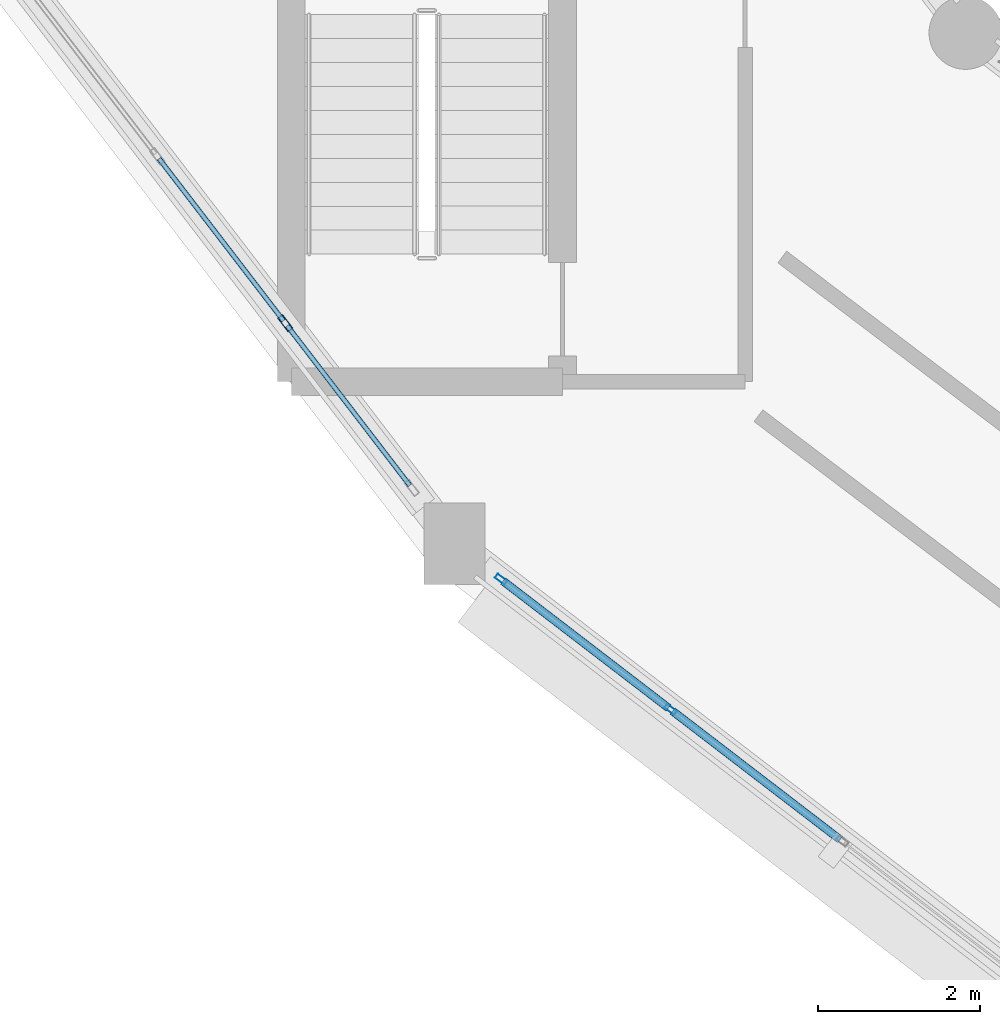
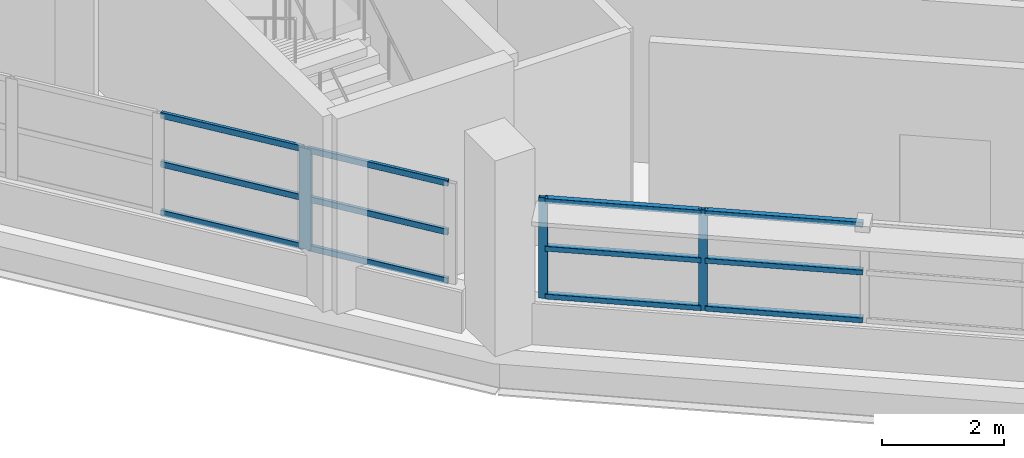
# One storey, part 7 of 88: 15 members, 2 elements without a shape of their own.
"""IFC4 building model written with IfcOpenShell, lengths in metres."""

from ifc_helpers import new_model, si_unit, direction, frame, origin, origin_2d, place, context, subcontext, project, spatial, hollow_rectangle, extrude, material, layer, layer_set, material_profile, profile_set, type_object, element, aggregate, save


model = new_model("IFC4")

# Units and contexts
model_context = context("Model", 3, precision=1e-05, world=origin(), true_north=direction((0.0, 1.0)))
body_context = subcontext(model_context, "Body", "Model", "MODEL_VIEW")
ifc_project = project(units=[si_unit("LENGTHUNIT", "METRE"), si_unit("AREAUNIT", "SQUARE_METRE"), si_unit("VOLUMEUNIT", "CUBIC_METRE"), si_unit("PLANEANGLEUNIT", "RADIAN"), si_unit("MASSUNIT", "GRAM", prefix="KILO")], contexts=[model_context])

# Site, building, storey
site_placement = place(None, origin())
site = spatial("IfcSite", under=ifc_project, at=site_placement, CompositionType="ELEMENT")
building_placement = place(site_placement, origin())
building = spatial("IfcBuilding", under=site, at=building_placement, Name="Vespera Passage Community Centre", CompositionType="ELEMENT")
storey_placement = place(building_placement, frame((0.0, 0.0, 16.5)))
storey = spatial("IfcBuildingStorey", under=building, at=storey_placement, Name="L04", CompositionType="ELEMENT", Elevation=16.5)

# Curtain wall, members
ifc_material_1 = material(Name="Anodized aluminium 6063-T6", Category="aluminium")
ifc_layer_1 = layer(ifc_material_1, 0.159912109375)
ifc_layer_set_1 = layer_set([ifc_layer_1], Name="Anodized aluminium 6063-T6")
curtain_wall_type_1 = type_object("IfcCurtainWallType", Name="CW-53E", PredefinedType="NOTDEFINED", material=ifc_layer_set_1)
curtain_wall_1_placement = place(storey_placement, origin())
curtain_wall_1 = element("IfcCurtainWall", 1, at=curtain_wall_1_placement, inside=storey, type_object=curtain_wall_type_1, Name="V4 L04 Outer Ribbon Curtain Wall 15", PredefinedType="NOTDEFINED")
ifc_material_2 = material(Name="Anodized aluminium 6063-T6", Category="aluminium")
ifc_material_profile_1 = material_profile(ifc_material_2, hollow_rectangle(XDim=0.06494140625, YDim=0.14990234375, WallThickness=0.00390625, InnerFilletRadius=0.001953125, OuterFilletRadius=0.00390625, at=origin_2d()), Name="ALU150X65X4")
ifc_profile_set_1 = profile_set([ifc_material_profile_1], Name="Anodized aluminium 6063-T6")
member_type_1 = type_object("IfcMemberType", Name="MB-CWM-150E", PredefinedType="MULLION", material=ifc_profile_set_1)
member_1_placement = place(storey_placement, frame((48.06201171875, 30.861572265625, 0.820068359375), z_axis=(0.0, 0.0, 1.0), x_axis=(-0.608771824991, -0.793345363065, 0.0)))
member_1 = element("IfcMember", 2, at=member_1_placement, type_object=member_type_1, Name="CW-53E mullion 4", PredefinedType="MULLION", context=body_context, shape_type="SweptSolid", body=[
    extrude(hollow_rectangle(XDim=0.06494140625, YDim=0.14990234375, WallThickness=0.00390625, InnerFilletRadius=0.001953125, OuterFilletRadius=0.00390625, at=origin_2d()), origin(), (0.0, 0.0, 1.0), 2.005615234375),
])
member_2_placement = place(storey_placement, frame((45.973876953125, 32.464111328125, 0.820068359375), z_axis=(0.0, 0.0, 1.0), x_axis=(-0.608771824991, -0.793345363065, 0.0)))
member_2 = element("IfcMember", 3, at=member_2_placement, type_object=member_type_1, Name="CW-53E mullion 5", PredefinedType="MULLION", context=body_context, shape_type="SweptSolid", body=[
    extrude(hollow_rectangle(XDim=0.06494140625, YDim=0.14990234375, WallThickness=0.00390625, InnerFilletRadius=0.001953125, OuterFilletRadius=0.00390625, at=origin_2d()), origin(), (0.0, 0.0, 1.0), 2.005615234375),
])

# Curtain wall, member
ifc_material_3 = material(Name="Anodized aluminium 6063-T6", Category="aluminium")
ifc_layer_2 = layer(ifc_material_3, 0.159912109375)
ifc_layer_set_2 = layer_set([ifc_layer_2], Name="Anodized aluminium 6063-T6")
curtain_wall_type_2 = type_object("IfcCurtainWallType", Name="CW-66E", PredefinedType="NOTDEFINED", material=ifc_layer_set_2)
curtain_wall_2_placement = place(storey_placement, origin())
curtain_wall_2 = element("IfcCurtainWall", 4, at=curtain_wall_2_placement, inside=storey, type_object=curtain_wall_type_2, Name="V4 L04 Outer Ribbon Curtain Wall 14", PredefinedType="NOTDEFINED")
ifc_material_4 = material(Name="Anodized aluminium 6063-T6", Category="aluminium")
ifc_material_profile_2 = material_profile(ifc_material_4, hollow_rectangle(XDim=0.074951171875, YDim=0.2099609375, WallThickness=0.0048828125, InnerFilletRadius=0.00244140625, OuterFilletRadius=0.0048828125, at=origin_2d()), Name="ALU210X75X5")
ifc_profile_set_2 = profile_set([ifc_material_profile_2], Name="Anodized aluminium 6063-T6")
member_type_2 = type_object("IfcMemberType", Name="MB-CWM-210E", PredefinedType="MULLION", material=ifc_profile_set_2)
member_3_placement = place(storey_placement, frame((43.31787109375, 35.618896484375, 0.820068359375), z_axis=(0.0, 0.0, 1.0), x_axis=(-0.793350257139, -0.608765447029, 0.0)))
member_3 = element("IfcMember", 5, at=member_3_placement, type_object=member_type_2, Name="CW-66E mullion 2", PredefinedType="MULLION", context=body_context, shape_type="SweptSolid", body=[
    extrude(hollow_rectangle(XDim=0.074951171875, YDim=0.2099609375, WallThickness=0.0048828125, InnerFilletRadius=0.00244140625, OuterFilletRadius=0.0048828125, at=origin_2d()), origin(), (0.0, 0.0, 1.0), 2.005615234375),
])

# Member
ifc_material_5 = material(Name="Anodized aluminium 6063-T6", Category="aluminium")
ifc_material_profile_3 = material_profile(ifc_material_5, hollow_rectangle(XDim=0.10009765625, YDim=0.10009765625, WallThickness=0.00390625, InnerFilletRadius=0.001953125, OuterFilletRadius=0.00390625, at=origin_2d()), Name="ALU100X100X4")
ifc_profile_set_3 = profile_set([ifc_material_profile_3], Name="Anodized aluminium 6063-T6")
member_type_3 = type_object("IfcMemberType", Name="MB-CWT-100E", PredefinedType="USERDEFINED", material=ifc_profile_set_3)
member_4_placement = place(storey_placement, frame((50.150390625, 29.259033203125, 0.8701171875), z_axis=(-0.793325147434, 0.608798168894, 0.0), x_axis=(-0.608798168894, -0.793325147434, 0.0)))
member_4 = element("IfcMember", 6, at=member_4_placement, type_object=member_type_3, Name="CW-53E transom 3.1", ObjectType="TRANSOM", PredefinedType="USERDEFINED", context=body_context, shape_type="SweptSolid", body=[
    extrude(hollow_rectangle(XDim=0.10009765625, YDim=0.10009765625, WallThickness=0.00390625, InnerFilletRadius=0.001953125, OuterFilletRadius=0.00390625, at=origin_2d()), origin(), (0.0, 0.0, 1.0), 2.599853515625),
])

member_5_placement = place(storey_placement, frame((50.150390625, 29.259033203125, 1.82275390625), z_axis=(-0.793325147434, 0.608798168894, 0.0), x_axis=(-0.608798168894, -0.793325147434, 0.0)))
member_5 = element("IfcMember", 7, at=member_5_placement, type_object=member_type_3, Name="CW-53E transom 3.2", ObjectType="TRANSOM", PredefinedType="USERDEFINED", context=body_context, shape_type="SweptSolid", body=[
    extrude(hollow_rectangle(XDim=0.10009765625, YDim=0.10009765625, WallThickness=0.00390625, InnerFilletRadius=0.001953125, OuterFilletRadius=0.00390625, at=origin_2d()), origin(), (0.0, 0.0, 1.0), 2.599853515625),
])

member_6_placement = place(storey_placement, frame((50.150390625, 29.259033203125, 2.775634765625), z_axis=(-0.793325147434, 0.608798168894, 0.0), x_axis=(-0.608798168894, -0.793325147434, 0.0)))
member_6 = element("IfcMember", 8, at=member_6_placement, type_object=member_type_3, Name="CW-53E transom 3.3", ObjectType="TRANSOM", PredefinedType="USERDEFINED", context=body_context, shape_type="SweptSolid", body=[
    extrude(hollow_rectangle(XDim=0.10009765625, YDim=0.10009765625, WallThickness=0.00390625, InnerFilletRadius=0.001953125, OuterFilletRadius=0.00390625, at=origin_2d()), origin(), (0.0, 0.0, 1.0), 2.599853515625),
])

member_7_placement = place(storey_placement, frame((48.036376953125, 30.88134765625, 0.8701171875), z_axis=(-0.793344571237, 0.608772856893, 0.0), x_axis=(-0.608772856893, -0.793344571237, 0.0)))
member_7 = element("IfcMember", 9, at=member_7_placement, type_object=member_type_3, Name="CW-53E transom 4.1", ObjectType="TRANSOM", PredefinedType="USERDEFINED", context=body_context, shape_type="SweptSolid", body=[
    extrude(hollow_rectangle(XDim=0.10009765625, YDim=0.10009765625, WallThickness=0.00390625, InnerFilletRadius=0.001953125, OuterFilletRadius=0.00390625, at=origin_2d()), origin(), (0.0, 0.0, 1.0), 2.5673828125),
])

member_8_placement = place(storey_placement, frame((48.036376953125, 30.88134765625, 1.82275390625), z_axis=(-0.793344571237, 0.608772856893, 0.0), x_axis=(-0.608772856893, -0.793344571237, 0.0)))
member_8 = element("IfcMember", 10, at=member_8_placement, type_object=member_type_3, Name="CW-53E transom 4.2", ObjectType="TRANSOM", PredefinedType="USERDEFINED", context=body_context, shape_type="SweptSolid", body=[
    extrude(hollow_rectangle(XDim=0.10009765625, YDim=0.10009765625, WallThickness=0.00390625, InnerFilletRadius=0.001953125, OuterFilletRadius=0.00390625, at=origin_2d()), origin(), (0.0, 0.0, 1.0), 2.5673828125),
])

member_9_placement = place(storey_placement, frame((48.036376953125, 30.88134765625, 2.775634765625), z_axis=(-0.793344571237, 0.608772856893, 0.0), x_axis=(-0.608772856893, -0.793344571237, 0.0)))
member_9 = element("IfcMember", 11, at=member_9_placement, type_object=member_type_3, Name="CW-53E transom 4.3", ObjectType="TRANSOM", PredefinedType="USERDEFINED", context=body_context, shape_type="SweptSolid", body=[
    extrude(hollow_rectangle(XDim=0.10009765625, YDim=0.10009765625, WallThickness=0.00390625, InnerFilletRadius=0.001953125, OuterFilletRadius=0.00390625, at=origin_2d()), origin(), (0.0, 0.0, 1.0), 2.5673828125),
])

aggregate(curtain_wall_1, [member_1, member_2, member_4, member_5, member_6, member_7, member_8, member_9])

ifc_material_6 = material(Name="Anodized aluminium 6063-T6", Category="aluminium")
ifc_material_profile_4 = material_profile(ifc_material_6, hollow_rectangle(XDim=0.06005859375, YDim=0.1201171875, WallThickness=0.00390625, InnerFilletRadius=0.001953125, OuterFilletRadius=0.00390625, at=origin_2d()), Name="ALU120X60X4")
ifc_profile_set_4 = profile_set([ifc_material_profile_4], Name="Anodized aluminium 6063-T6")
member_type_4 = type_object("IfcMemberType", Name="MB-CWT-120E", PredefinedType="USERDEFINED", material=ifc_profile_set_4)
member_10_placement = place(storey_placement, frame((44.850830078125, 33.62109375, 0.85009765625), z_axis=(-0.608735234275, 0.79337343953, 0.0), x_axis=(-0.79337343953, -0.608735234275, 0.0)))
member_10 = element("IfcMember", 12, at=member_10_placement, type_object=member_type_4, Name="CW-66E transom 1.1", ObjectType="TRANSOM", PredefinedType="USERDEFINED", context=body_context, shape_type="SweptSolid", body=[
    extrude(hollow_rectangle(XDim=0.06005859375, YDim=0.1201171875, WallThickness=0.00390625, InnerFilletRadius=0.001953125, OuterFilletRadius=0.00390625, at=origin_2d()), origin(), (0.0, 0.0, 1.0), 2.48046875),
])

member_11_placement = place(storey_placement, frame((44.850830078125, 33.62109375, 1.82275390625), z_axis=(-0.608735234275, 0.79337343953, 0.0), x_axis=(-0.79337343953, -0.608735234275, 0.0)))
member_11 = element("IfcMember", 13, at=member_11_placement, type_object=member_type_4, Name="CW-66E transom 1.2", ObjectType="TRANSOM", PredefinedType="USERDEFINED", context=body_context, shape_type="SweptSolid", body=[
    extrude(hollow_rectangle(XDim=0.06005859375, YDim=0.1201171875, WallThickness=0.00390625, InnerFilletRadius=0.001953125, OuterFilletRadius=0.00390625, at=origin_2d()), origin(), (0.0, 0.0, 1.0), 2.48046875),
])

member_12_placement = place(storey_placement, frame((44.850830078125, 33.62109375, 2.795654296875), z_axis=(-0.608735234275, 0.79337343953, 0.0), x_axis=(-0.79337343953, -0.608735234275, 0.0)))
member_12 = element("IfcMember", 14, at=member_12_placement, type_object=member_type_4, Name="CW-66E transom 1.3", ObjectType="TRANSOM", PredefinedType="USERDEFINED", context=body_context, shape_type="SweptSolid", body=[
    extrude(hollow_rectangle(XDim=0.06005859375, YDim=0.1201171875, WallThickness=0.00390625, InnerFilletRadius=0.001953125, OuterFilletRadius=0.00390625, at=origin_2d()), origin(), (0.0, 0.0, 1.0), 2.48046875),
])

member_13_placement = place(storey_placement, frame((43.295166015625, 35.648681640625, 0.85009765625), z_axis=(-0.608759186888, 0.793355060726, 0.0), x_axis=(-0.793355060726, -0.608759186888, 0.0)))
member_13 = element("IfcMember", 15, at=member_13_placement, type_object=member_type_4, Name="CW-66E transom 2.1", ObjectType="TRANSOM", PredefinedType="USERDEFINED", context=body_context, shape_type="SweptSolid", body=[
    extrude(hollow_rectangle(XDim=0.06005859375, YDim=0.1201171875, WallThickness=0.00390625, InnerFilletRadius=0.001953125, OuterFilletRadius=0.00390625, at=origin_2d()), origin(), (0.0, 0.0, 1.0), 2.51806640625),
])

member_14_placement = place(storey_placement, frame((43.295166015625, 35.648681640625, 1.82275390625), z_axis=(-0.608759186888, 0.793355060726, 0.0), x_axis=(-0.793355060726, -0.608759186888, 0.0)))
member_14 = element("IfcMember", 16, at=member_14_placement, type_object=member_type_4, Name="CW-66E transom 2.2", ObjectType="TRANSOM", PredefinedType="USERDEFINED", context=body_context, shape_type="SweptSolid", body=[
    extrude(hollow_rectangle(XDim=0.06005859375, YDim=0.1201171875, WallThickness=0.00390625, InnerFilletRadius=0.001953125, OuterFilletRadius=0.00390625, at=origin_2d()), origin(), (0.0, 0.0, 1.0), 2.51806640625),
])

member_15_placement = place(storey_placement, frame((43.295166015625, 35.648681640625, 2.795654296875), z_axis=(-0.608759186888, 0.793355060726, 0.0), x_axis=(-0.793355060726, -0.608759186888, 0.0)))
member_15 = element("IfcMember", 17, at=member_15_placement, type_object=member_type_4, Name="CW-66E transom 2.3", ObjectType="TRANSOM", PredefinedType="USERDEFINED", context=body_context, shape_type="SweptSolid", body=[
    extrude(hollow_rectangle(XDim=0.06005859375, YDim=0.1201171875, WallThickness=0.00390625, InnerFilletRadius=0.001953125, OuterFilletRadius=0.00390625, at=origin_2d()), origin(), (0.0, 0.0, 1.0), 2.51806640625),
])

aggregate(curtain_wall_2, [member_3, member_10, member_11, member_12, member_13, member_14, member_15])

save(model, "model.ifc")
